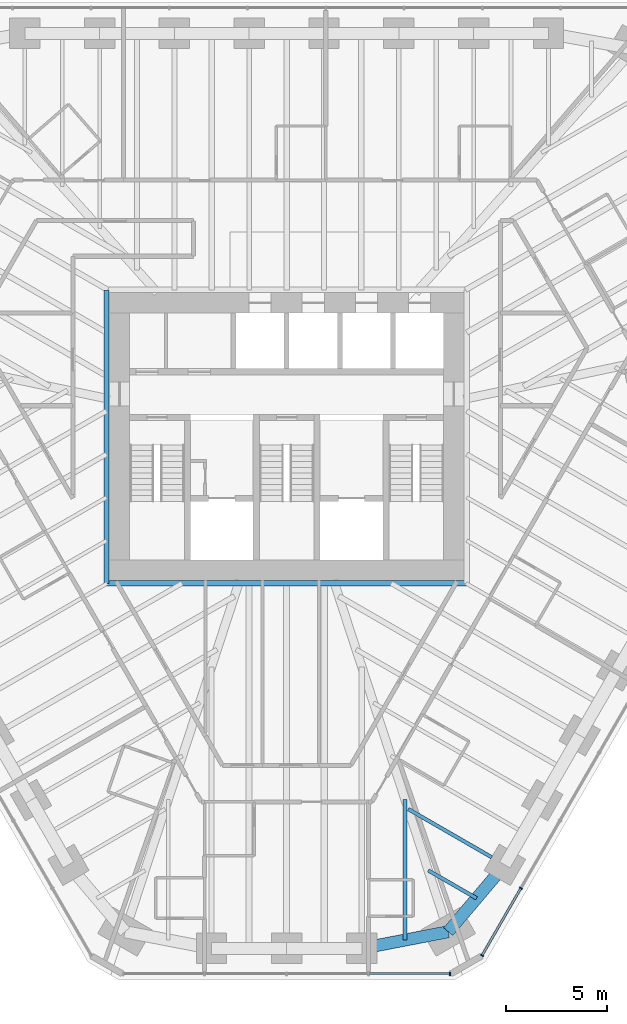
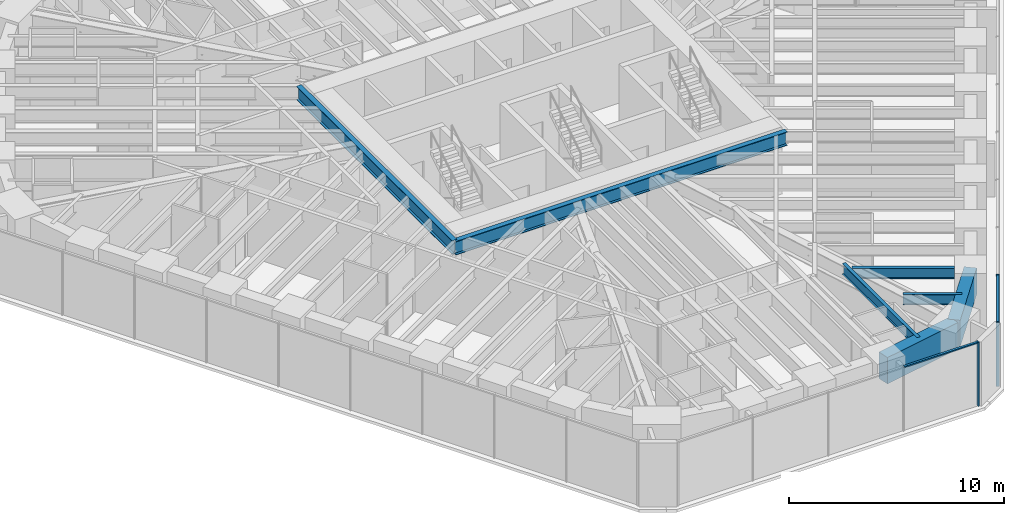
# One storey, part 4 of 16: 7 beams, 5 members, 2 elements without a shape of their own.
"""IFC4 building model written with IfcOpenShell, lengths in metres."""

from ifc_helpers import new_model, si_unit, direction, frame, origin, origin_2d, place, context, subcontext, project, spatial, rectangle, i_section, extrude, material, material_profile, profile_set, type_object, element, aggregate, save


model = new_model("IFC4")

# Units and contexts
model_context = context("Model", 3, precision=1e-05, world=origin(), true_north=direction((0.0, 1.0)))
body_context = subcontext(model_context, "Body", "Model", "MODEL_VIEW")
ifc_project = project(units=[si_unit("LENGTHUNIT", "METRE"), si_unit("AREAUNIT", "SQUARE_METRE"), si_unit("VOLUMEUNIT", "CUBIC_METRE"), si_unit("PLANEANGLEUNIT", "RADIAN"), si_unit("MASSUNIT", "GRAM", prefix="KILO")], contexts=[model_context])

# Site, building, storey
site_placement = place(None, origin())
site = spatial("IfcSite", under=ifc_project, at=site_placement, CompositionType="ELEMENT")
building_placement = place(site_placement, origin())
building = spatial("IfcBuilding", under=site, at=building_placement, Name="Sandreach Pilgrim Tower", CompositionType="ELEMENT")
storey_placement = place(building_placement, frame((0.0, 0.0, 209.800048828125)))
storey = spatial("IfcBuildingStorey", under=building, at=storey_placement, Name="L52", CompositionType="ELEMENT", Elevation=209.800048828125)

# Curtain wall, members
ifc_material_1 = material(Name="Aluminium framed curtain wall", Category="aluminium")
curtain_wall_type = type_object("IfcCurtainWallType", Name="Upper hotel tower curtain wall", PredefinedType="NOTDEFINED", material=ifc_material_1)
curtain_wall_1_placement = place(storey_placement, origin())
curtain_wall_1 = element("IfcCurtainWall", 1, at=curtain_wall_1_placement, inside=storey, type_object=curtain_wall_type, Name="CW-3 L52 SE", PredefinedType="NOTDEFINED")
ifc_material_2 = material(Name="Aluminium extrusion", Category="aluminium")
ifc_material_profile_1 = material_profile(ifc_material_2, rectangle(XDim=0.06494140625, YDim=0.159912109375, at=origin_2d()), Name="CW-3M 65X160")
ifc_profile_set_1 = profile_set([ifc_material_profile_1], Name="Aluminium extrusion")
member_type_1 = type_object("IfcMemberType", Name="CW-3 mullion", PredefinedType="MULLION", material=ifc_profile_set_1)
member_1_placement = place(storey_placement, frame((11.5625, -22.29345703125, 0.0), z_axis=(0.0, 0.0, 1.0), x_axis=(-0.5, -0.866025403784, 0.0)))
member_1 = element("IfcMember", 2, at=member_1_placement, type_object=member_type_1, Name="CW-3 mullion 9", PredefinedType="MULLION", context=body_context, shape_type="SweptSolid", body=[
    extrude(rectangle(XDim=0.06494140625, YDim=0.159912109375, at=origin_2d()), origin(), (0.0, 0.0, 1.0), 3.639892578125),
])
member_2_placement = place(storey_placement, frame((9.646484375, -25.612060546875, 0.0), z_axis=(0.0, 0.0, 1.0), x_axis=(-0.5, -0.866025403784, 0.0)))
member_2 = element("IfcMember", 3, at=member_2_placement, type_object=member_type_1, Name="CW-3 mullion 10", PredefinedType="MULLION", context=body_context, shape_type="SweptSolid", body=[
    extrude(rectangle(XDim=0.06494140625, YDim=0.159912109375, at=origin_2d()), origin(), (0.0, 0.0, 1.0), 3.639892578125),
])

# Curtain wall, member
curtain_wall_2_placement = place(storey_placement, origin())
curtain_wall_2 = element("IfcCurtainWall", 4, at=curtain_wall_2_placement, inside=storey, type_object=curtain_wall_type, Name="CW-3 L52 S", PredefinedType="NOTDEFINED")
member_3_placement = place(storey_placement, frame((8.06494140625, -26.525146484375, 0.0), z_axis=(0.0, 0.0, 1.0), x_axis=(-1.0, 0.0, 0.0)))
member_3 = element("IfcMember", 5, at=member_3_placement, type_object=member_type_1, Name="CW-3 mullion 1", PredefinedType="MULLION", context=body_context, shape_type="SweptSolid", body=[
    extrude(rectangle(XDim=0.06494140625, YDim=0.159912109375, at=origin_2d()), origin(), (0.0, 0.0, 1.0), 3.639892578125),
])

# Member
ifc_material_3 = material(Name="Aluminium extrusion", Category="aluminium")
ifc_material_profile_2 = material_profile(ifc_material_3, rectangle(XDim=0.1201171875, YDim=0.070068359375, at=origin_2d()), Name="CW-3T 120X70")
ifc_profile_set_2 = profile_set([ifc_material_profile_2], Name="Aluminium extrusion")
member_type_2 = type_object("IfcMemberType", Name="CW-3 transom", PredefinedType="USERDEFINED", material=ifc_profile_set_2)
member_4_placement = place(storey_placement, frame((11.546142578125, -22.321533203125, 3.60498046875), z_axis=(-0.499973055223, -0.8660409598, 0.0), x_axis=(0.8660409598, -0.499973055223, 0.0)))
member_4 = element("IfcMember", 6, at=member_4_placement, type_object=member_type_2, Name="CW-3 head transom 9", ObjectType="TRANSOM", PredefinedType="USERDEFINED", context=body_context, shape_type="SweptSolid", body=[
    extrude(rectangle(XDim=0.1201171875, YDim=0.070068359375, at=origin_2d()), origin(), (0.0, 0.0, 1.0), 3.766845703125),
])

aggregate(curtain_wall_1, [member_1, member_2, member_4])

member_5_placement = place(storey_placement, frame((8.032470703125, -26.525146484375, 3.60498046875), z_axis=(-1.0, 0.0, 0.0), x_axis=(0.0, -1.0, 0.0)))
member_5 = element("IfcMember", 7, at=member_5_placement, type_object=member_type_2, Name="CW-3 head transom 1", ObjectType="TRANSOM", PredefinedType="USERDEFINED", context=body_context, shape_type="SweptSolid", body=[
    extrude(rectangle(XDim=0.1201171875, YDim=0.070068359375, at=origin_2d()), origin(), (0.0, 0.0, 1.0), 3.951171875),
])

aggregate(curtain_wall_2, [member_3, member_5])

# Beams
ifc_material_4 = material(Name="Steel ASTM A992 Grade 50", Category="steel")
ifc_material_profile_3 = material_profile(ifc_material_4, i_section(OverallWidth=0.2666015625, OverallDepth=0.77978515625, WebThickness=0.0166015625, FlangeThickness=0.030029296875, at=origin_2d()), Name="W30X148")
ifc_profile_set_3 = profile_set([ifc_material_profile_3], Name="Steel ASTM A992 Grade 50")
beam_type_1 = type_object("IfcBeamType", Name="Core edge beam W30X148", PredefinedType="BEAM", material=ifc_profile_set_3)
beam_1_placement = place(storey_placement, frame((8.893310546875, -7.243408203125, 3.25), z_axis=(-1.0, 0.0, 0.0), x_axis=(0.0, -1.0, 0.0)))
element("IfcBeam", 8, at=beam_1_placement, inside=storey, type_object=beam_type_1, Name="BM L52 CES", PredefinedType="BEAM", context=body_context, shape_type="SweptSolid", body=[
    extrude(i_section(OverallWidth=0.2666015625, OverallDepth=0.77978515625, WebThickness=0.0166015625, FlangeThickness=0.030029296875, at=origin_2d()), origin(), (0.0, 0.0, 1.0), 17.78662109375),
])
beam_2_placement = place(storey_placement, frame((-8.893310546875, -7.243408203125, 3.25), z_axis=(0.0, 1.0, 0.0), x_axis=(-1.0, 0.0, 0.0)))
element("IfcBeam", 9, at=beam_2_placement, inside=storey, type_object=beam_type_1, Name="BM L52 CEW", PredefinedType="BEAM", context=body_context, shape_type="SweptSolid", body=[
    extrude(i_section(OverallWidth=0.2666015625, OverallDepth=0.77978515625, WebThickness=0.0166015625, FlangeThickness=0.030029296875, at=origin_2d()), origin(), (0.0, 0.0, 1.0), 14.48681640625),
])
ifc_material_5 = material(Name="Steel ASTM A992 Grade 50", Category="steel")
ifc_material_profile_4 = material_profile(ifc_material_5, i_section(OverallWidth=0.1787109375, OverallDepth=0.60205078125, WebThickness=0.010986328125, FlangeThickness=0.014892578125, at=origin_2d()), Name="W24X62")
ifc_profile_set_4 = profile_set([ifc_material_profile_4], Name="Steel ASTM A992 Grade 50")
beam_type_2 = type_object("IfcBeamType", Name="Floor beam W24X62", PredefinedType="BEAM", material=ifc_profile_set_4)
beam_3_placement = place(storey_placement, frame((10.12255859375, -20.767333984375, 3.3388671875), z_axis=(-0.86603347311, 0.499986023258, 0.0), x_axis=(-0.499986023258, -0.86603347311, 0.0)))
element("IfcBeam", 10, at=beam_3_placement, inside=storey, type_object=beam_type_2, Name="BM L52 F21", PredefinedType="BEAM", context=body_context, shape_type="SweptSolid", body=[
    extrude(i_section(OverallWidth=0.1787109375, OverallDepth=0.60205078125, WebThickness=0.010986328125, FlangeThickness=0.014892578125, at=origin_2d()), origin(), (0.0, 0.0, 1.0), 4.757568359375),
])
beam_4_placement = place(storey_placement, frame((9.375244140625, -22.7919921875, 3.3388671875), z_axis=(-0.866046803606, 0.49996293259, 0.0), x_axis=(-0.49996293259, -0.866046803606, 0.0)))
element("IfcBeam", 11, at=beam_4_placement, inside=storey, type_object=beam_type_2, Name="BM L52 FM21", PredefinedType="BEAM", context=body_context, shape_type="SweptSolid", body=[
    extrude(i_section(OverallWidth=0.1787109375, OverallDepth=0.60205078125, WebThickness=0.010986328125, FlangeThickness=0.014892578125, at=origin_2d()), origin(), (0.0, 0.0, 1.0), 2.753662109375),
])
beam_5_placement = place(storey_placement, frame((5.844482421875, -24.853515625, 3.3388671875), z_axis=(0.0, 1.0, 0.0), x_axis=(-1.0, 0.0, 0.0)))
element("IfcBeam", 12, at=beam_5_placement, inside=storey, type_object=beam_type_2, Name="BM L52 FM22", PredefinedType="BEAM", context=body_context, shape_type="SweptSolid", body=[
    extrude(i_section(OverallWidth=0.1787109375, OverallDepth=0.60205078125, WebThickness=0.010986328125, FlangeThickness=0.014892578125, at=origin_2d()), origin(), (0.0, 0.0, 1.0), 6.94921875),
])
ifc_material_6 = material(Name="Concrete 10000 psi", Category="concrete")
ifc_material_profile_5 = material_profile(ifc_material_6, rectangle(XDim=0.60009765625, YDim=1.5, at=origin_2d()), Name="RC600X1500")
ifc_profile_set_5 = profile_set([ifc_material_profile_5], Name="Concrete 10000 psi")
beam_type_3 = type_object("IfcBeamType", Name="Spandrel beam RC600X1500", PredefinedType="SPANDREL", material=ifc_profile_set_5)
beam_6_placement = place(storey_placement, frame((10.772216796875, -21.142333984375, 2.889892578125), z_axis=(-0.646180160755, -0.76318490541, 0.0), x_axis=(0.76318490541, -0.646180160755, 0.0)))
element("IfcBeam", 13, at=beam_6_placement, inside=storey, type_object=beam_type_3, Name="BM L52 SP21", PredefinedType="SPANDREL", context=body_context, shape_type="SweptSolid", body=[
    extrude(rectangle(XDim=0.60009765625, YDim=1.5, at=origin_2d()), origin(), (0.0, 0.0, 1.0), 4.323486328125),
])
beam_7_placement = place(storey_placement, frame((7.978515625, -24.44189453125, 2.889892578125), z_axis=(-0.981901333807, -0.18939316426, 0.0), x_axis=(0.18939316426, -0.981901333807, 0.0)))
element("IfcBeam", 14, at=beam_7_placement, inside=storey, type_object=beam_type_3, Name="BM L52 SP22", PredefinedType="SPANDREL", context=body_context, shape_type="SweptSolid", body=[
    extrude(rectangle(XDim=0.60009765625, YDim=1.5, at=origin_2d()), origin(), (0.0, 0.0, 1.0), 4.3466796875),
])

save(model, "model.ifc")
